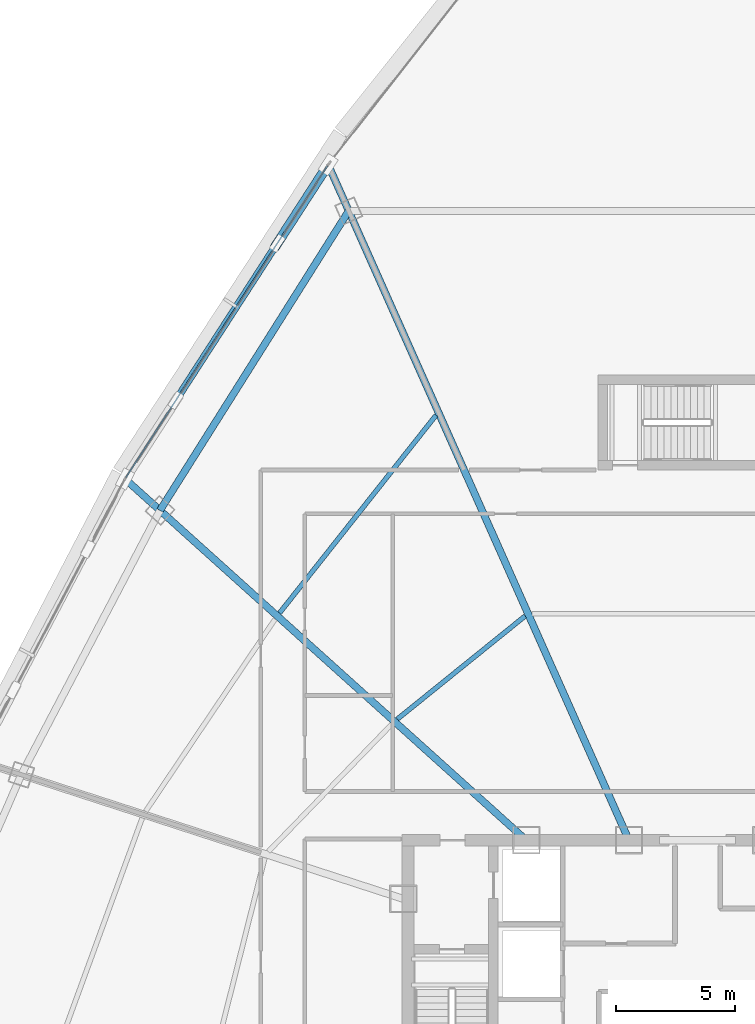
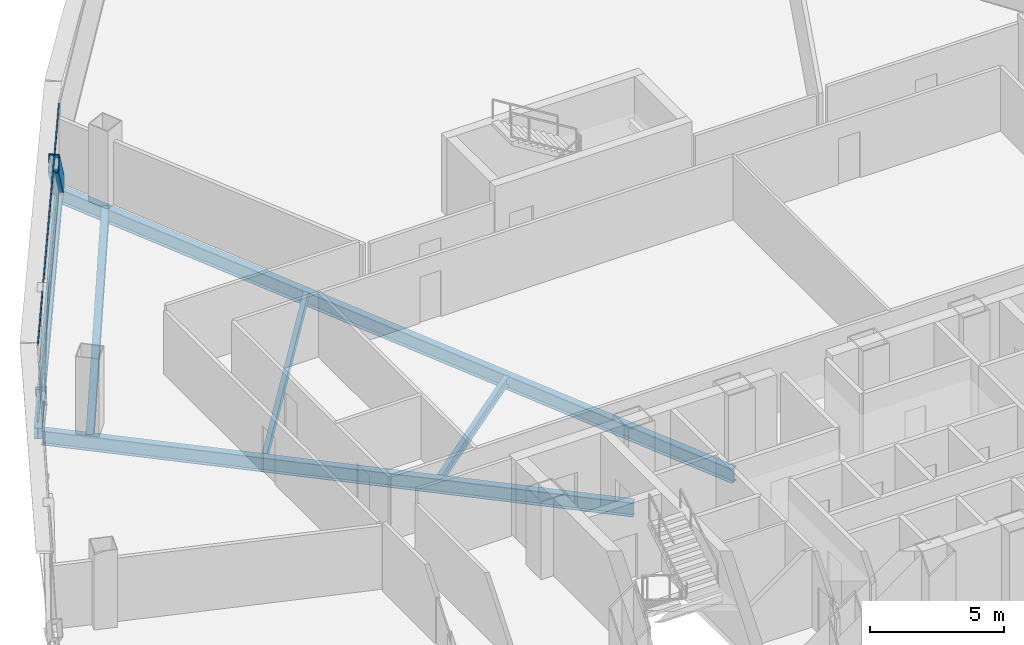
# One storey, part 17 of 37: 6 beams, 3 members, 1 element without a shape of its own.
"""IFC4 building model written with IfcOpenShell, lengths in metres."""

from ifc_helpers import new_model, si_unit, direction, frame, origin, origin_2d, place, context, subcontext, project, spatial, hollow_rectangle, i_section, extrude, source, transform, mapped, material, layer, layer_set, material_profile, profile_set, type_object, element, aggregate, save


model = new_model("IFC4")

# Units and contexts
model_context = context("Model", 3, precision=1e-05, world=origin(), true_north=direction((0.0, 1.0)))
body_context = subcontext(model_context, "Body", "Model", "MODEL_VIEW")
ifc_project = project(units=[si_unit("LENGTHUNIT", "METRE"), si_unit("AREAUNIT", "SQUARE_METRE"), si_unit("VOLUMEUNIT", "CUBIC_METRE"), si_unit("PLANEANGLEUNIT", "RADIAN"), si_unit("MASSUNIT", "GRAM", prefix="KILO"), si_unit("THERMODYNAMICTEMPERATUREUNIT", "KELVIN"), si_unit("POWERUNIT", "WATT")], contexts=[model_context])

# Site, building, storey
site_placement = place(None, origin())
site = spatial("IfcSite", under=ifc_project, at=site_placement, CompositionType="ELEMENT")
building_placement = place(site_placement, origin())
building = spatial("IfcBuilding", under=site, at=building_placement, Name="Yunzhuo Pagoda Commons", CompositionType="ELEMENT")
storey_placement = place(building_placement, frame((0.0, 0.0, 192.360107421875)))
storey = spatial("IfcBuildingStorey", under=building, at=storey_placement, Name="L48", CompositionType="ELEMENT", Elevation=192.360107421875)

# Beams
ifc_material_1 = material(Name="Structural steel Q355B", Category="steel")
ifc_material_profile_1 = material_profile(ifc_material_1, i_section(OverallWidth=0.300048828125, OverallDepth=0.64990234375, WebThickness=0.012939453125, FlangeThickness=0.02197265625, at=origin_2d()), Name="Structural steel Q355B")
ifc_profile_set_1 = profile_set([ifc_material_profile_1], Name="Structural steel Q355B")
beam_type_1 = type_object("IfcBeamType", Name="B-RG2 Beam HN 650x300x13x22", PredefinedType="BEAM", material=ifc_profile_set_1)
shared_shape_1 = source(origin(), body_context, "Body", "SweptSolid", [
    extrude(i_section(OverallWidth=0.300048828125, OverallDepth=0.64990234375, WebThickness=0.012939453125, FlangeThickness=0.02197265625, at=origin_2d()), origin(), (0.0, 0.0, 1.0), 14.916015625),
])
beam_1_placement = place(storey_placement, frame((33.301025390625, 66.714599609375, -0.585205078125), z_axis=(-0.533092374013, -0.846057043449, 0.0), x_axis=(0.846057043449, -0.533092374013, 0.0)))
element("IfcBeam", 1, at=beam_1_placement, inside=storey, type_object=beam_type_1, Name="L48 column-ring beam 9", PredefinedType="BEAM", context=body_context, shape_type="MappedRepresentation", body=[
    mapped(shared_shape_1, transform((0.0, 0.0, 0.0), scale=1.0)),
])
ifc_material_profile_2 = material_profile(ifc_material_1, i_section(OverallWidth=0.199951171875, OverallDepth=0.39990234375, WebThickness=0.008056640625, FlangeThickness=0.012939453125, at=origin_2d()), Name="Structural steel Q355B")
ifc_profile_set_2 = profile_set([ifc_material_profile_2], Name="Structural steel Q355B")
beam_type_2 = type_object("IfcBeamType", Name="B-JS1 Joist HN 400x200x8x13", PredefinedType="JOIST", material=ifc_profile_set_2)
shared_shape_2 = source(origin(), body_context, "Body", "SweptSolid", [
    extrude(i_section(OverallWidth=0.199951171875, OverallDepth=0.39990234375, WebThickness=0.008056640625, FlangeThickness=0.012939453125, at=origin_2d()), origin(), (0.0, 0.0, 1.0), 6.916748046875),
])
beam_2_placement = place(storey_placement, frame((40.732421875, 49.645263671875, -0.460205078125), z_axis=(-0.778265575865, -0.627935262127, 0.0), x_axis=(0.627935262127, -0.778265575865, 0.0)))
element("IfcBeam", 2, at=beam_2_placement, inside=storey, type_object=beam_type_2, Name="L48 composite ring joist 1.9", PredefinedType="JOIST", context=body_context, shape_type="MappedRepresentation", body=[
    mapped(shared_shape_2, transform((0.0, 0.0, 0.0), scale=1.0)),
])
shared_shape_3 = source(origin(), body_context, "Body", "SweptSolid", [
    extrude(i_section(OverallWidth=0.199951171875, OverallDepth=0.39990234375, WebThickness=0.008056640625, FlangeThickness=0.012939453125, at=origin_2d()), origin(), (0.0, 0.0, 1.0), 10.625732421875),
])
beam_3_placement = place(storey_placement, frame((36.980224609375, 58.105224609375, -0.460205078125), z_axis=(-0.620589944532, -0.784135269418, 0.0), x_axis=(0.784135269418, -0.620589944532, 0.0)))
element("IfcBeam", 3, at=beam_3_placement, inside=storey, type_object=beam_type_2, Name="L48 composite ring joist 2.9", PredefinedType="JOIST", context=body_context, shape_type="MappedRepresentation", body=[
    mapped(shared_shape_3, transform((0.0, 0.0, 0.0), scale=1.0)),
])
shared_shape_4 = source(origin(), body_context, "Body", "SweptSolid", [
    extrude(i_section(OverallWidth=0.300048828125, OverallDepth=0.64990234375, WebThickness=0.012939453125, FlangeThickness=0.02197265625, at=origin_2d()), origin(), (0.0, 0.0, 1.0), 22.59326171875),
])
beam_4_placement = place(storey_placement, frame((23.990966796875, 55.31787109375, -0.585205078125), z_axis=(0.743142605929, -0.669133071409, 0.0), x_axis=(0.669133071409, 0.743142605929, 0.0)))
element("IfcBeam", 4, at=beam_4_placement, inside=storey, type_object=beam_type_1, Name="L48 radial floor girder F3C2", PredefinedType="BEAM", context=body_context, shape_type="MappedRepresentation", body=[
    mapped(shared_shape_4, transform((0.0, 0.0, 0.0), scale=1.0)),
])
shared_shape_5 = source(origin(), body_context, "Body", "SweptSolid", [
    extrude(i_section(OverallWidth=0.300048828125, OverallDepth=0.64990234375, WebThickness=0.012939453125, FlangeThickness=0.02197265625, at=origin_2d()), origin(), (0.0, 0.0, 1.0), 30.999267578125),
])
beam_5_placement = place(storey_placement, frame((32.49755859375, 68.519287109375, -0.585205078125), z_axis=(0.406731735964, -0.913547642414, 0.0), x_axis=(0.913547642414, 0.406731735964, 0.0)))
element("IfcBeam", 5, at=beam_5_placement, inside=storey, type_object=beam_type_1, Name="L48 radial floor girder F3C1", PredefinedType="BEAM", context=body_context, shape_type="MappedRepresentation", body=[
    mapped(shared_shape_5, transform((0.0, 0.0, 0.0), scale=1.0)),
])
ifc_material_profile_3 = material_profile(ifc_material_1, i_section(OverallWidth=0.300048828125, OverallDepth=0.488037109375, WebThickness=0.010986328125, FlangeThickness=0.01806640625, at=origin_2d()), Name="Structural steel Q355B")
ifc_profile_set_3 = profile_set([ifc_material_profile_3], Name="Structural steel Q355B")
beam_type_3 = type_object("IfcBeamType", Name="B-SP1 Beam HM 488x300x11x18", PredefinedType="BEAM", material=ifc_profile_set_3)
shared_shape_6 = source(origin(), body_context, "Body", "SweptSolid", [
    extrude(i_section(OverallWidth=0.300048828125, OverallDepth=0.488037109375, WebThickness=0.010986328125, FlangeThickness=0.01806640625, at=origin_2d()), origin(), (0.0, 0.0, 1.0), 15.764892578125),
])
beam_6_placement = place(storey_placement, frame((32.4345703125, 68.660888671875, -0.504150390625), z_axis=(-0.54290513086, -0.83979403361, 0.0), x_axis=(0.83979403361, -0.54290513086, 0.0)))
element("IfcBeam", 6, at=beam_6_placement, inside=storey, type_object=beam_type_3, Name="L48 facade edge spandrel beam F3.1", PredefinedType="BEAM", context=body_context, shape_type="MappedRepresentation", body=[
    mapped(shared_shape_6, transform((0.0, 0.0, 0.0), scale=1.0)),
])

# Member
ifc_material_profile_4 = material_profile(ifc_material_1, hollow_rectangle(XDim=0.39990234375, YDim=0.719970703125, WallThickness=0.02392578125, at=origin_2d()), Name="Structural steel Q355B")
ifc_profile_set_4 = profile_set([ifc_material_profile_4], Name="Structural steel Q355B")
member_type_1 = type_object("IfcMemberType", Name="M-DL2 Brace BOX 720x400x24", PredefinedType="BRACE", material=ifc_profile_set_4)
shared_shape_7 = source(origin(), body_context, "Body", "SweptSolid", [
    extrude(hollow_rectangle(XDim=0.39990234375, YDim=0.719970703125, WallThickness=0.02392578125, at=origin_2d()), origin(), (0.0, 0.0, 1.0), 5.474609375),
])
member_1_placement = place(storey_placement, frame((32.4345703125, 68.660888671875, -0.260009765625), z_axis=(-0.390830371992, -0.604574093234, 0.694076210599), x_axis=(0.839801094268, -0.542894208908, 0.0)))
element("IfcMember", 7, at=member_1_placement, inside=storey, type_object=member_type_1, Name="L48 facade diamond brace F3.1L", PredefinedType="BRACE", context=body_context, shape_type="MappedRepresentation", body=[
    mapped(shared_shape_7, transform((0.0, 0.0, 0.0), scale=1.0)),
])

# Curtain wall, members
ifc_material_2 = material(Name="Anodized aluminium 6063-T6", Category="aluminium")
ifc_layer = layer(ifc_material_2, 0.14990234375)
ifc_layer_set = layer_set([ifc_layer], Name="Anodized aluminium 6063-T6")
curtain_wall_type = type_object("IfcCurtainWallType", Name="CW-MID Mid-Zone Ribbon Curtain Wall", PredefinedType="NOTDEFINED", material=ifc_layer_set)
curtain_wall_placement = place(storey_placement, origin())
curtain_wall = element("IfcCurtainWall", 8, at=curtain_wall_placement, inside=storey, type_object=curtain_wall_type, Name="L48 curtain wall CW-L48-F3B2", PredefinedType="NOTDEFINED")
ifc_material_profile_5 = material_profile(ifc_material_2, hollow_rectangle(XDim=0.054931640625, YDim=0.1298828125, WallThickness=0.00341796875, at=origin_2d()), Name="Anodized aluminium 6063-T6")
ifc_profile_set_5 = profile_set([ifc_material_profile_5], Name="Anodized aluminium 6063-T6")
member_type_2 = type_object("IfcMemberType", Name="CW-MID-T Transom RHS 130x55x3.5", PredefinedType="USERDEFINED", material=ifc_profile_set_5)
shared_shape_8 = source(origin(), body_context, "Body", "SweptSolid", [
    extrude(hollow_rectangle(XDim=0.054931640625, YDim=0.1298828125, WallThickness=0.00341796875, at=origin_2d()), origin(), (0.0, 0.0, 1.0), 15.64501953125),
])
member_2_placement = place(storey_placement, frame((32.402099609375, 68.6103515625, 0.02734375), z_axis=(-0.542916068365, -0.839786962694, 0.0), x_axis=(0.839786962694, -0.542916068365, 0.0)))
member_2 = element("IfcMember", 9, at=member_2_placement, type_object=member_type_2, Name="CW transom 1.1", ObjectType="TRANSOM", PredefinedType="USERDEFINED", context=body_context, shape_type="MappedRepresentation", body=[
    mapped(shared_shape_8, transform((0.0, 0.0, 0.0), scale=1.0)),
])
member_3_placement = place(storey_placement, frame((32.402099609375, 68.6103515625, 3.512451171875), z_axis=(-0.542916068365, -0.839786962694, 0.0), x_axis=(0.839786962694, -0.542916068365, 0.0)))
member_3 = element("IfcMember", 10, at=member_3_placement, type_object=member_type_2, Name="CW transom 1.2", ObjectType="TRANSOM", PredefinedType="USERDEFINED", context=body_context, shape_type="MappedRepresentation", body=[
    mapped(shared_shape_8, transform((0.0, 0.0, 0.0), scale=1.0)),
])
aggregate(curtain_wall, [member_2, member_3])

save(model, "model.ifc")
